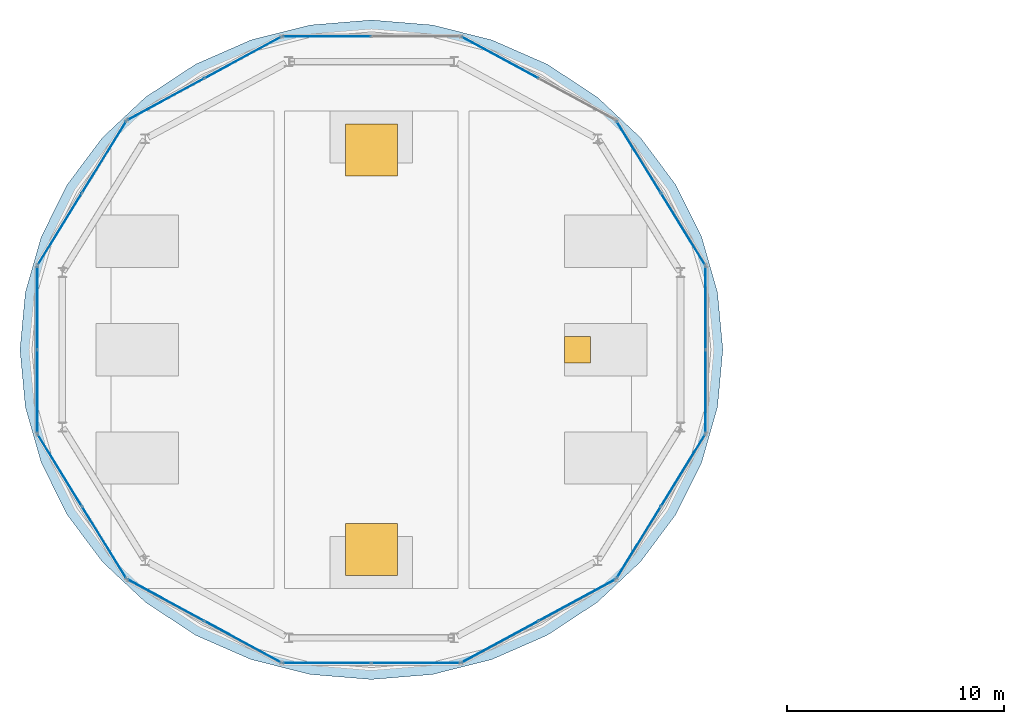
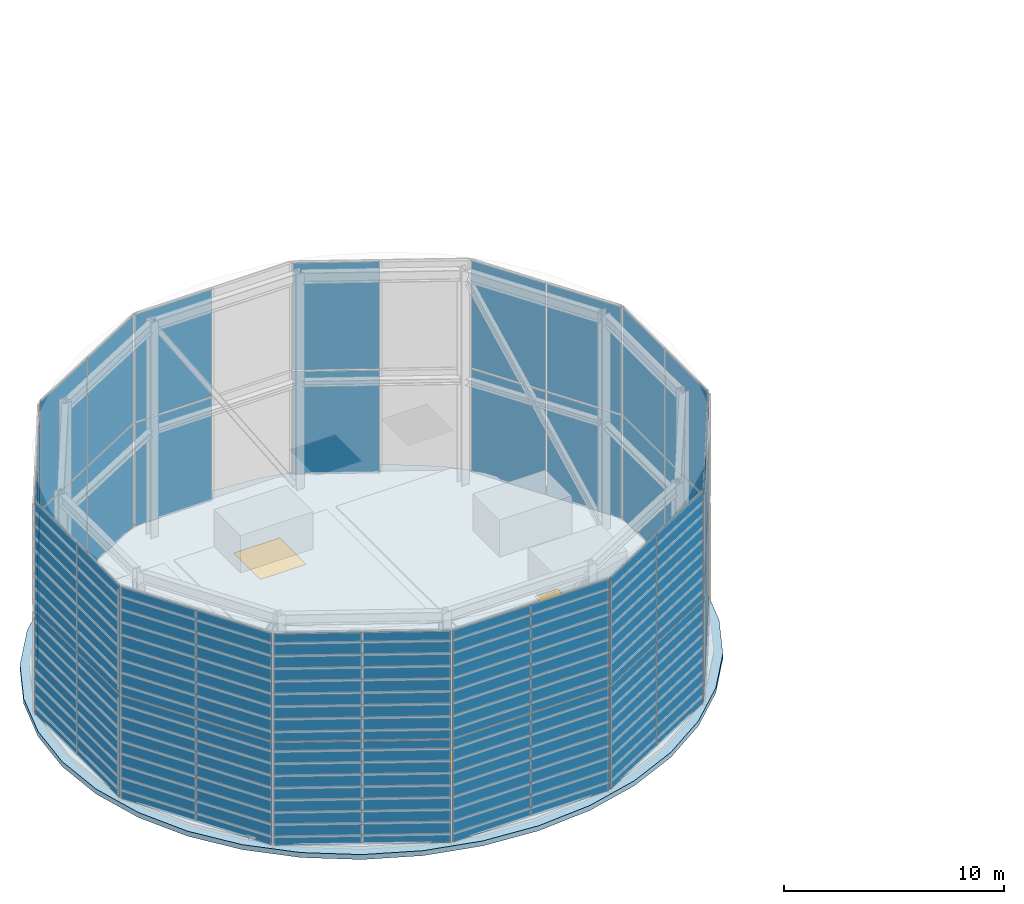
# One storey, part 10 of 17: 44 plates, 3 windows, 1 slab, 3 openings, 12 elements without a shape of their own.
"""IFC4 building model written with IfcOpenShell, lengths in metres."""

from ifc_helpers import new_model, si_unit, direction, frame, origin, origin_2d, place, context, subcontext, project, spatial, polyline, rectangle, outline, extrude, source, transform, mapped, material, layer, layer_set, type_object, type_shapes, element, fill, aggregate, save


model = new_model("IFC4")

# Units and contexts
model_context = context("Model", 3, precision=1e-05, world=origin(), true_north=direction((0.0, 1.0)))
body_context = subcontext(model_context, "Body", "Model", "MODEL_VIEW")
ifc_project = project(units=[si_unit("LENGTHUNIT", "METRE"), si_unit("AREAUNIT", "SQUARE_METRE"), si_unit("VOLUMEUNIT", "CUBIC_METRE"), si_unit("PLANEANGLEUNIT", "RADIAN"), si_unit("MASSUNIT", "GRAM", prefix="KILO")], contexts=[model_context])

# Site, building, storey
site_placement = place(None, origin())
site = spatial("IfcSite", under=ifc_project, at=site_placement, CompositionType="ELEMENT")
building_placement = place(site_placement, origin())
building = spatial("IfcBuilding", under=site, at=building_placement, Name="Norrkilde Senior Care Towers", CompositionType="ELEMENT")
storey_placement = place(building_placement, frame((0.0, 0.0, 249.85009765625)))
storey = spatial("IfcBuildingStorey", under=building, at=storey_placement, Name="RF", CompositionType="ELEMENT", Elevation=249.85009765625)

# Slab, openings, windows
ifc_material_1 = material(Name="Concrete C50/60", Category="concrete")
ifc_layer_1 = layer(ifc_material_1, 0.27490234375)
ifc_layer_set_1 = layer_set([ifc_layer_1], Name="Concrete C50/60")
slab_type = type_object("IfcSlabType", Name="Pavilion Main Roof Slab 275", PredefinedType="ROOF", material=ifc_layer_set_1)
slab_placement = place(storey_placement, frame((0.0, 0.0, -0.275146484375)))
slab = element("IfcSlab", 1, at=slab_placement, inside=storey, type_object=slab_type, Name="RF Drum W Main Roof Slab", PredefinedType="ROOF", context=body_context, shape_type="SweptSolid", body=[
    extrude(outline(polyline([(-11.800048828125, 0.0), (-12.046142578125, 2.639404296875), (-12.777099609375, 5.19873046875), (-13.970458984375, 7.60009765625), (-15.590087890625, 9.770263671875), (-17.5869140625, 11.643798828125), (-19.89990234375, 13.16357421875), (-22.459228515625, 14.283447265625), (-25.18701171875, 14.968994140625), (-28.0, 15.199951171875), (-30.81298828125, 14.968994140625), (-33.540771484375, 14.283447265625), (-36.10009765625, 13.16357421875), (-38.4130859375, 11.643798828125), (-40.409912109375, 9.770263671875), (-42.029541015625, 7.60009765625), (-43.222900390625, 5.19873046875), (-43.953857421875, 2.639404296875), (-44.199951171875, 0.0), (-43.953857421875, -2.639404296875), (-43.222900390625, -5.19873046875), (-42.029541015625, -7.60009765625), (-40.409912109375, -9.770263671875), (-38.4130859375, -11.643798828125), (-36.10009765625, -13.16357421875), (-33.540771484375, -14.283447265625), (-30.81298828125, -14.968994140625), (-28.0, -15.199951171875), (-25.18701171875, -14.968994140625), (-22.459228515625, -14.283447265625), (-19.89990234375, -13.16357421875), (-17.5869140625, -11.643798828125), (-15.590087890625, -9.770263671875), (-13.970458984375, -7.60009765625), (-12.777099609375, -5.19873046875), (-12.046142578125, -2.639404296875), (-11.800048828125, 0.0)])), origin(), (0.0, 0.0, 1.0), 0.275146484375),
])
opening_1_placement = place(slab_placement, frame((-28.0, -9.199951171875, -0.010009765625)))
opening_1 = element("IfcOpeningElement", 2, at=opening_1_placement, cuts=slab, Name="Opening SK-02", PredefinedType="OPENING", context=body_context, shape_type="SweptSolid", body=[
    extrude(rectangle(XDim=2.39990234375, YDim=2.39990234375, at=origin_2d()), origin(), (0.0, 0.0, 1.0), 0.295166015625),
])
opening_2_placement = place(slab_placement, frame((-28.0, 9.199951171875, -0.010009765625)))
opening_2 = element("IfcOpeningElement", 3, at=opening_2_placement, cuts=slab, Name="Opening SK-02", PredefinedType="OPENING", context=body_context, shape_type="SweptSolid", body=[
    extrude(rectangle(XDim=2.39990234375, YDim=2.39990234375, at=origin_2d()), origin(), (0.0, 0.0, 1.0), 0.295166015625),
])
opening_3_placement = place(slab_placement, frame((-18.5, 0.0, -0.010009765625)))
opening_3 = element("IfcOpeningElement", 4, at=opening_3_placement, cuts=slab, Name="Opening SK-03", PredefinedType="OPENING", context=body_context, shape_type="SweptSolid", body=[
    extrude(rectangle(XDim=1.199951171875, YDim=1.199951171875, at=origin_2d()), origin(), (0.0, 0.0, 1.0), 0.295166015625),
])
ifc_material_2 = material(Name="Triple Low-E Insulated Glazing", Category="glass")
window_type_1 = type_object("IfcWindowType", Name="Crown Acoustic Daylighting Skylight 2400x2400", PartitioningType="SINGLE_PANEL", PredefinedType="SKYLIGHT", material=ifc_material_2)
window_1_placement = place(slab_placement, frame((-28.0, -9.199951171875, 0.22509765625)))
window_1 = element("IfcWindow", 5, at=window_1_placement, inside=storey, type_object=window_type_1, Name="RF Roof Daylighting Skylight 03", OverallHeight=2.39990234375, OverallWidth=2.39990234375, PartitioningType="SINGLE_PANEL", PredefinedType="SKYLIGHT", context=body_context, shape_type="SweptSolid", body=[
    extrude(rectangle(XDim=2.39990234375, YDim=2.39990234375, at=origin_2d()), origin(), (0.0, 0.0, 1.0), 0.050048828125),
])
fill(opening_1, window_1)
window_2_placement = place(slab_placement, frame((-28.0, 9.199951171875, 0.22509765625)))
window_2 = element("IfcWindow", 6, at=window_2_placement, inside=storey, type_object=window_type_1, Name="RF Roof Daylighting Skylight 05", OverallHeight=2.39990234375, OverallWidth=2.39990234375, PartitioningType="SINGLE_PANEL", PredefinedType="SKYLIGHT", context=body_context, shape_type="SweptSolid", body=[
    extrude(rectangle(XDim=2.39990234375, YDim=2.39990234375, at=origin_2d()), origin(), (0.0, 0.0, 1.0), 0.050048828125),
])
fill(opening_2, window_2)
window_type_2 = type_object("IfcWindowType", Name="Roof Access Glazed Hatch 1200x1200", PartitioningType="SINGLE_PANEL", PredefinedType="SKYLIGHT", material=ifc_material_2)
window_3_placement = place(slab_placement, frame((-18.5, 0.0, 0.22509765625)))
window_3 = element("IfcWindow", 7, at=window_3_placement, inside=storey, type_object=window_type_2, Name="RF Roof Daylighting Skylight 06", OverallHeight=1.199951171875, OverallWidth=1.199951171875, PartitioningType="SINGLE_PANEL", PredefinedType="SKYLIGHT", context=body_context, shape_type="SweptSolid", body=[
    extrude(rectangle(XDim=1.199951171875, YDim=1.199951171875, at=origin_2d()), origin(), (0.0, 0.0, 1.0), 0.050048828125),
])
fill(opening_3, window_3)

# Curtain wall, plates
ifc_layer_2 = layer(ifc_material_2, 0.205078125)
ifc_layer_set_2 = layer_set([ifc_layer_2], Name="Triple Low-E Insulated Glazing")
curtain_wall_type = type_object("IfcCurtainWallType", Name="CW7 L76 Damper Lantern Clear Curtain Wall", PredefinedType="NOTDEFINED", material=ifc_layer_set_2)
curtain_wall_1_placement = place(storey_placement, origin())
curtain_wall_1 = element("IfcCurtainWall", 8, at=curtain_wall_1_placement, inside=storey, type_object=curtain_wall_type, Name="RF Ring Crown W Screen Wall 00", PredefinedType="NOTDEFINED")
ifc_material_3 = material(Name="Architectural Terracotta", Category="masonry")
ifc_layer_3 = layer(ifc_material_3, 0.031982421875)
ifc_layer_set_3 = layer_set([ifc_layer_3], Name="Architectural Terracotta")
plate_type = type_object("IfcPlateType", Name="Crown Louvred Terracotta Screen Panel 32", PredefinedType="CURTAIN_PANEL", material=ifc_layer_set_3)
shared_shape_1 = source(origin(), body_context, "Body", "SweptSolid", [
    extrude(rectangle(XDim=3.845703125, YDim=0.031982421875, at=origin_2d()), origin(), (0.0, 0.0, 1.0), 5.702392578125),
])
plate_1_placement = place(storey_placement, frame((-15.681640625, 8.883056640625, 0.06494140625), z_axis=(0.0, 0.0, 1.0), x_axis=(0.524458342684, -0.85143610846, 0.0)))
plate_1 = element("IfcPlate", 9, at=plate_1_placement, type_object=plate_type, Name="CW-7 panel 1.1", PredefinedType="CURTAIN_PANEL", context=body_context, shape_type="MappedRepresentation", body=[
    mapped(shared_shape_1, transform((0.0, 0.0, 0.0), x_axis=(1.0, 0.0, 0.0), y_axis=(0.0, 1.0, 0.0), z_axis=(0.0, 0.0, 1.0), scale=1.0)),
])
plate_2_placement = place(storey_placement, frame((-13.63330078125, 5.5576171875, 0.06494140625), z_axis=(0.0, 0.0, 1.0), x_axis=(0.524458342684, -0.85143610846, 0.0)))
plate_2 = element("IfcPlate", 10, at=plate_2_placement, type_object=plate_type, Name="CW-7 panel 2.1", PredefinedType="CURTAIN_PANEL", context=body_context, shape_type="MappedRepresentation", body=[
    mapped(shared_shape_1, transform((0.0, 0.0, 0.0), x_axis=(1.0, 0.0, 0.0), y_axis=(0.0, 1.0, 0.0), z_axis=(0.0, 0.0, 1.0), scale=1.0)),
])

curtain_wall_2_placement = place(storey_placement, origin())
curtain_wall_2 = element("IfcCurtainWall", 11, at=curtain_wall_2_placement, inside=storey, type_object=curtain_wall_type, Name="RF Ring Crown W Screen Wall 04", PredefinedType="NOTDEFINED")
plate_3_placement = place(storey_placement, frame((-42.36669921875, 5.5576171875, 0.06494140625), z_axis=(0.0, 0.0, 1.0), x_axis=(0.524458342684, 0.85143610846, 0.0)))
plate_3 = element("IfcPlate", 12, at=plate_3_placement, type_object=plate_type, Name="CW-7 panel 1.1", PredefinedType="CURTAIN_PANEL", context=body_context, shape_type="MappedRepresentation", body=[
    mapped(shared_shape_1, transform((0.0, 0.0, 0.0), x_axis=(1.0, 0.0, 0.0), y_axis=(0.0, 1.0, 0.0), z_axis=(0.0, 0.0, 1.0), scale=1.0)),
])
plate_4_placement = place(storey_placement, frame((-40.318359375, 8.883056640625, 0.06494140625), z_axis=(0.0, 0.0, 1.0), x_axis=(0.524458342684, 0.85143610846, 0.0)))
plate_4 = element("IfcPlate", 13, at=plate_4_placement, type_object=plate_type, Name="CW-7 panel 2.1", PredefinedType="CURTAIN_PANEL", context=body_context, shape_type="MappedRepresentation", body=[
    mapped(shared_shape_1, transform((0.0, 0.0, 0.0), x_axis=(1.0, 0.0, 0.0), y_axis=(0.0, 1.0, 0.0), z_axis=(0.0, 0.0, 1.0), scale=1.0)),
])

curtain_wall_3_placement = place(storey_placement, origin())
curtain_wall_3 = element("IfcCurtainWall", 14, at=curtain_wall_3_placement, inside=storey, type_object=curtain_wall_type, Name="RF Ring Crown W Screen Wall 06", PredefinedType="NOTDEFINED")
plate_5_placement = place(storey_placement, frame((-40.318359375, -8.883056640625, 0.06494140625), z_axis=(0.0, 0.0, 1.0), x_axis=(-0.524458342684, 0.85143610846, 0.0)))
plate_5 = element("IfcPlate", 15, at=plate_5_placement, type_object=plate_type, Name="CW-7 panel 1.1", PredefinedType="CURTAIN_PANEL", context=body_context, shape_type="MappedRepresentation", body=[
    mapped(shared_shape_1, transform((0.0, 0.0, 0.0), x_axis=(1.0, 0.0, 0.0), y_axis=(0.0, 1.0, 0.0), z_axis=(0.0, 0.0, 1.0), scale=1.0)),
])
plate_6_placement = place(storey_placement, frame((-42.36669921875, -5.5576171875, 0.06494140625), z_axis=(0.0, 0.0, 1.0), x_axis=(-0.524458342684, 0.85143610846, 0.0)))
plate_6 = element("IfcPlate", 16, at=plate_6_placement, type_object=plate_type, Name="CW-7 panel 2.1", PredefinedType="CURTAIN_PANEL", context=body_context, shape_type="MappedRepresentation", body=[
    mapped(shared_shape_1, transform((0.0, 0.0, 0.0), x_axis=(1.0, 0.0, 0.0), y_axis=(0.0, 1.0, 0.0), z_axis=(0.0, 0.0, 1.0), scale=1.0)),
])

curtain_wall_4_placement = place(storey_placement, origin())
curtain_wall_4 = element("IfcCurtainWall", 17, at=curtain_wall_4_placement, inside=storey, type_object=curtain_wall_type, Name="RF Ring Crown W Screen Wall 10", PredefinedType="NOTDEFINED")
plate_7_placement = place(storey_placement, frame((-13.63330078125, -5.5576171875, 0.06494140625), z_axis=(0.0, 0.0, 1.0), x_axis=(-0.524458342684, -0.85143610846, 0.0)))
plate_7 = element("IfcPlate", 18, at=plate_7_placement, type_object=plate_type, Name="CW-7 panel 1.1", PredefinedType="CURTAIN_PANEL", context=body_context, shape_type="MappedRepresentation", body=[
    mapped(shared_shape_1, transform((0.0, 0.0, 0.0), x_axis=(1.0, 0.0, 0.0), y_axis=(0.0, 1.0, 0.0), z_axis=(0.0, 0.0, 1.0), scale=1.0)),
])
plate_8_placement = place(storey_placement, frame((-15.681640625, -8.883056640625, 0.06494140625), z_axis=(0.0, 0.0, 1.0), x_axis=(-0.524458342684, -0.85143610846, 0.0)))
plate_8 = element("IfcPlate", 19, at=plate_8_placement, type_object=plate_type, Name="CW-7 panel 2.1", PredefinedType="CURTAIN_PANEL", context=body_context, shape_type="MappedRepresentation", body=[
    mapped(shared_shape_1, transform((0.0, 0.0, 0.0), x_axis=(1.0, 0.0, 0.0), y_axis=(0.0, 1.0, 0.0), z_axis=(0.0, 0.0, 1.0), scale=1.0)),
])

# Plate
shared_shape_2 = source(origin(), body_context, "Body", "SweptSolid", [
    extrude(rectangle(XDim=3.845703125, YDim=0.031982421875, at=origin_2d()), origin(), (0.0, 0.0, 1.0), 5.952392578125),
])
plate_9_placement = place(storey_placement, frame((-15.681640625, 8.883056640625, 5.83251953125), z_axis=(0.0, 0.0, 1.0), x_axis=(0.524458342684, -0.85143610846, 0.0)))
plate_9 = element("IfcPlate", 20, at=plate_9_placement, type_object=plate_type, Name="CW-7 panel 1.2", PredefinedType="CURTAIN_PANEL", context=body_context, shape_type="MappedRepresentation", body=[
    mapped(shared_shape_2, transform((0.0, 0.0, 0.0), x_axis=(1.0, 0.0, 0.0), y_axis=(0.0, 1.0, 0.0), z_axis=(0.0, 0.0, 1.0), scale=1.0)),
])

plate_10_placement = place(storey_placement, frame((-13.63330078125, 5.5576171875, 5.83251953125), z_axis=(0.0, 0.0, 1.0), x_axis=(0.524458342684, -0.85143610846, 0.0)))
plate_10 = element("IfcPlate", 21, at=plate_10_placement, type_object=plate_type, Name="CW-7 panel 2.2", PredefinedType="CURTAIN_PANEL", context=body_context, shape_type="MappedRepresentation", body=[
    mapped(shared_shape_2, transform((0.0, 0.0, 0.0), x_axis=(1.0, 0.0, 0.0), y_axis=(0.0, 1.0, 0.0), z_axis=(0.0, 0.0, 1.0), scale=1.0)),
])

aggregate(curtain_wall_1, [plate_1, plate_9, plate_2, plate_10])

plate_11_placement = place(storey_placement, frame((-42.36669921875, 5.5576171875, 5.83251953125), z_axis=(0.0, 0.0, 1.0), x_axis=(0.524458342684, 0.85143610846, 0.0)))
plate_11 = element("IfcPlate", 22, at=plate_11_placement, type_object=plate_type, Name="CW-7 panel 1.2", PredefinedType="CURTAIN_PANEL", context=body_context, shape_type="MappedRepresentation", body=[
    mapped(shared_shape_2, transform((0.0, 0.0, 0.0), x_axis=(1.0, 0.0, 0.0), y_axis=(0.0, 1.0, 0.0), z_axis=(0.0, 0.0, 1.0), scale=1.0)),
])

plate_12_placement = place(storey_placement, frame((-40.318359375, 8.883056640625, 5.83251953125), z_axis=(0.0, 0.0, 1.0), x_axis=(0.524458342684, 0.85143610846, 0.0)))
plate_12 = element("IfcPlate", 23, at=plate_12_placement, type_object=plate_type, Name="CW-7 panel 2.2", PredefinedType="CURTAIN_PANEL", context=body_context, shape_type="MappedRepresentation", body=[
    mapped(shared_shape_2, transform((0.0, 0.0, 0.0), x_axis=(1.0, 0.0, 0.0), y_axis=(0.0, 1.0, 0.0), z_axis=(0.0, 0.0, 1.0), scale=1.0)),
])

aggregate(curtain_wall_2, [plate_3, plate_11, plate_4, plate_12])

plate_13_placement = place(storey_placement, frame((-40.318359375, -8.883056640625, 5.83251953125), z_axis=(0.0, 0.0, 1.0), x_axis=(-0.524458342684, 0.85143610846, 0.0)))
plate_13 = element("IfcPlate", 24, at=plate_13_placement, type_object=plate_type, Name="CW-7 panel 1.2", PredefinedType="CURTAIN_PANEL", context=body_context, shape_type="MappedRepresentation", body=[
    mapped(shared_shape_2, transform((0.0, 0.0, 0.0), x_axis=(1.0, 0.0, 0.0), y_axis=(0.0, 1.0, 0.0), z_axis=(0.0, 0.0, 1.0), scale=1.0)),
])

plate_14_placement = place(storey_placement, frame((-42.36669921875, -5.5576171875, 5.83251953125), z_axis=(0.0, 0.0, 1.0), x_axis=(-0.524458342684, 0.85143610846, 0.0)))
plate_14 = element("IfcPlate", 25, at=plate_14_placement, type_object=plate_type, Name="CW-7 panel 2.2", PredefinedType="CURTAIN_PANEL", context=body_context, shape_type="MappedRepresentation", body=[
    mapped(shared_shape_2, transform((0.0, 0.0, 0.0), x_axis=(1.0, 0.0, 0.0), y_axis=(0.0, 1.0, 0.0), z_axis=(0.0, 0.0, 1.0), scale=1.0)),
])

aggregate(curtain_wall_3, [plate_5, plate_13, plate_6, plate_14])

plate_15_placement = place(storey_placement, frame((-13.63330078125, -5.5576171875, 5.83251953125), z_axis=(0.0, 0.0, 1.0), x_axis=(-0.524458342684, -0.85143610846, 0.0)))
plate_15 = element("IfcPlate", 26, at=plate_15_placement, type_object=plate_type, Name="CW-7 panel 1.2", PredefinedType="CURTAIN_PANEL", context=body_context, shape_type="MappedRepresentation", body=[
    mapped(shared_shape_2, transform((0.0, 0.0, 0.0), x_axis=(1.0, 0.0, 0.0), y_axis=(0.0, 1.0, 0.0), z_axis=(0.0, 0.0, 1.0), scale=1.0)),
])

plate_16_placement = place(storey_placement, frame((-15.681640625, -8.883056640625, 5.83251953125), z_axis=(0.0, 0.0, 1.0), x_axis=(-0.524458342684, -0.85143610846, 0.0)))
plate_16 = element("IfcPlate", 27, at=plate_16_placement, type_object=plate_type, Name="CW-7 panel 2.2", PredefinedType="CURTAIN_PANEL", context=body_context, shape_type="MappedRepresentation", body=[
    mapped(shared_shape_2, transform((0.0, 0.0, 0.0), x_axis=(1.0, 0.0, 0.0), y_axis=(0.0, 1.0, 0.0), z_axis=(0.0, 0.0, 1.0), scale=1.0)),
])

aggregate(curtain_wall_4, [plate_7, plate_15, plate_8, plate_16])

# Curtain wall, plate
curtain_wall_5_placement = place(storey_placement, origin())
curtain_wall_5 = element("IfcCurtainWall", 28, at=curtain_wall_5_placement, inside=storey, type_object=curtain_wall_type, Name="RF Ring Crown W Screen Wall 01", PredefinedType="NOTDEFINED")
shared_shape_3 = source(origin(), body_context, "Body", "SweptSolid", [
    extrude(rectangle(XDim=3.97509765625, YDim=0.031982421875, at=origin_2d()), origin(), (0.0, 0.0, 1.0), 5.702392578125),
])
plate_17_placement = place(storey_placement, frame((-22.071044921875, 13.466064453125, 0.06494140625), z_axis=(0.0, 0.0, 1.0), x_axis=(0.879481153886, -0.475933713829, 0.0)))
plate_17 = element("IfcPlate", 29, at=plate_17_placement, type_object=plate_type, Name="CW-7 panel 1.1", PredefinedType="CURTAIN_PANEL", context=body_context, shape_type="MappedRepresentation", body=[
    mapped(shared_shape_3, transform((0.0, 0.0, 0.0), x_axis=(1.0, 0.0, 0.0), y_axis=(0.0, 1.0, 0.0), z_axis=(0.0, 0.0, 1.0), scale=1.0)),
])

# Curtain wall, plates
curtain_wall_6_placement = place(storey_placement, origin())
curtain_wall_6 = element("IfcCurtainWall", 30, at=curtain_wall_6_placement, inside=storey, type_object=curtain_wall_type, Name="RF Ring Crown W Screen Wall 03", PredefinedType="NOTDEFINED")
plate_18_placement = place(storey_placement, frame((-37.4775390625, 11.545654296875, 0.06494140625), z_axis=(0.0, 0.0, 1.0), x_axis=(0.879481153886, 0.475933713829, 0.0)))
plate_18 = element("IfcPlate", 31, at=plate_18_placement, type_object=plate_type, Name="CW-7 panel 1.1", PredefinedType="CURTAIN_PANEL", context=body_context, shape_type="MappedRepresentation", body=[
    mapped(shared_shape_3, transform((0.0, 0.0, 0.0), x_axis=(1.0, 0.0, 0.0), y_axis=(0.0, 1.0, 0.0), z_axis=(0.0, 0.0, 1.0), scale=1.0)),
])
plate_19_placement = place(storey_placement, frame((-33.928955078125, 13.466064453125, 0.06494140625), z_axis=(0.0, 0.0, 1.0), x_axis=(0.879481153886, 0.475933713829, 0.0)))
plate_19 = element("IfcPlate", 32, at=plate_19_placement, type_object=plate_type, Name="CW-7 panel 2.1", PredefinedType="CURTAIN_PANEL", context=body_context, shape_type="MappedRepresentation", body=[
    mapped(shared_shape_3, transform((0.0, 0.0, 0.0), x_axis=(1.0, 0.0, 0.0), y_axis=(0.0, 1.0, 0.0), z_axis=(0.0, 0.0, 1.0), scale=1.0)),
])

curtain_wall_7_placement = place(storey_placement, origin())
curtain_wall_7 = element("IfcCurtainWall", 33, at=curtain_wall_7_placement, inside=storey, type_object=curtain_wall_type, Name="RF Ring Crown W Screen Wall 07", PredefinedType="NOTDEFINED")
plate_20_placement = place(storey_placement, frame((-33.928955078125, -13.466064453125, 0.06494140625), z_axis=(0.0, 0.0, 1.0), x_axis=(-0.879481153886, 0.475933713829, 0.0)))
plate_20 = element("IfcPlate", 34, at=plate_20_placement, type_object=plate_type, Name="CW-7 panel 1.1", PredefinedType="CURTAIN_PANEL", context=body_context, shape_type="MappedRepresentation", body=[
    mapped(shared_shape_3, transform((0.0, 0.0, 0.0), x_axis=(1.0, 0.0, 0.0), y_axis=(0.0, 1.0, 0.0), z_axis=(0.0, 0.0, 1.0), scale=1.0)),
])
plate_21_placement = place(storey_placement, frame((-37.4775390625, -11.545654296875, 0.06494140625), z_axis=(0.0, 0.0, 1.0), x_axis=(-0.879481153886, 0.475933713829, 0.0)))
plate_21 = element("IfcPlate", 35, at=plate_21_placement, type_object=plate_type, Name="CW-7 panel 2.1", PredefinedType="CURTAIN_PANEL", context=body_context, shape_type="MappedRepresentation", body=[
    mapped(shared_shape_3, transform((0.0, 0.0, 0.0), x_axis=(1.0, 0.0, 0.0), y_axis=(0.0, 1.0, 0.0), z_axis=(0.0, 0.0, 1.0), scale=1.0)),
])

curtain_wall_8_placement = place(storey_placement, origin())
curtain_wall_8 = element("IfcCurtainWall", 36, at=curtain_wall_8_placement, inside=storey, type_object=curtain_wall_type, Name="RF Ring Crown W Screen Wall 09", PredefinedType="NOTDEFINED")
plate_22_placement = place(storey_placement, frame((-18.5224609375, -11.545654296875, 0.06494140625), z_axis=(0.0, 0.0, 1.0), x_axis=(-0.879481153886, -0.475933713829, 0.0)))
plate_22 = element("IfcPlate", 37, at=plate_22_placement, type_object=plate_type, Name="CW-7 panel 1.1", PredefinedType="CURTAIN_PANEL", context=body_context, shape_type="MappedRepresentation", body=[
    mapped(shared_shape_3, transform((0.0, 0.0, 0.0), x_axis=(1.0, 0.0, 0.0), y_axis=(0.0, 1.0, 0.0), z_axis=(0.0, 0.0, 1.0), scale=1.0)),
])
plate_23_placement = place(storey_placement, frame((-22.071044921875, -13.466064453125, 0.06494140625), z_axis=(0.0, 0.0, 1.0), x_axis=(-0.879481153886, -0.475933713829, 0.0)))
plate_23 = element("IfcPlate", 38, at=plate_23_placement, type_object=plate_type, Name="CW-7 panel 2.1", PredefinedType="CURTAIN_PANEL", context=body_context, shape_type="MappedRepresentation", body=[
    mapped(shared_shape_3, transform((0.0, 0.0, 0.0), x_axis=(1.0, 0.0, 0.0), y_axis=(0.0, 1.0, 0.0), z_axis=(0.0, 0.0, 1.0), scale=1.0)),
])

# Plate
shared_shape_4 = source(origin(), body_context, "Body", "SweptSolid", [
    extrude(rectangle(XDim=3.97509765625, YDim=0.031982421875, at=origin_2d()), origin(), (0.0, 0.0, 1.0), 5.952392578125),
])
plate_24_placement = place(storey_placement, frame((-22.071044921875, 13.466064453125, 5.83251953125), z_axis=(0.0, 0.0, 1.0), x_axis=(0.879481153886, -0.475933713829, 0.0)))
plate_24 = element("IfcPlate", 39, at=plate_24_placement, type_object=plate_type, Name="CW-7 panel 1.2", PredefinedType="CURTAIN_PANEL", context=body_context, shape_type="MappedRepresentation", body=[
    mapped(shared_shape_4, transform((0.0, 0.0, 0.0), x_axis=(1.0, 0.0, 0.0), y_axis=(0.0, 1.0, 0.0), z_axis=(0.0, 0.0, 1.0), scale=1.0)),
])

aggregate(curtain_wall_5, [plate_17, plate_24])

plate_25_placement = place(storey_placement, frame((-37.4775390625, 11.545654296875, 5.83251953125), z_axis=(0.0, 0.0, 1.0), x_axis=(0.879481153886, 0.475933713829, 0.0)))
plate_25 = element("IfcPlate", 40, at=plate_25_placement, type_object=plate_type, Name="CW-7 panel 1.2", PredefinedType="CURTAIN_PANEL", context=body_context, shape_type="MappedRepresentation", body=[
    mapped(shared_shape_4, transform((0.0, 0.0, 0.0), x_axis=(1.0, 0.0, 0.0), y_axis=(0.0, 1.0, 0.0), z_axis=(0.0, 0.0, 1.0), scale=1.0)),
])

plate_26_placement = place(storey_placement, frame((-33.928955078125, 13.466064453125, 5.83251953125), z_axis=(0.0, 0.0, 1.0), x_axis=(0.879481153886, 0.475933713829, 0.0)))
plate_26 = element("IfcPlate", 41, at=plate_26_placement, type_object=plate_type, Name="CW-7 panel 2.2", PredefinedType="CURTAIN_PANEL", context=body_context, shape_type="MappedRepresentation", body=[
    mapped(shared_shape_4, transform((0.0, 0.0, 0.0), x_axis=(1.0, 0.0, 0.0), y_axis=(0.0, 1.0, 0.0), z_axis=(0.0, 0.0, 1.0), scale=1.0)),
])

aggregate(curtain_wall_6, [plate_18, plate_25, plate_19, plate_26])

plate_27_placement = place(storey_placement, frame((-33.928955078125, -13.466064453125, 5.83251953125), z_axis=(0.0, 0.0, 1.0), x_axis=(-0.879481153886, 0.475933713829, 0.0)))
plate_27 = element("IfcPlate", 42, at=plate_27_placement, type_object=plate_type, Name="CW-7 panel 1.2", PredefinedType="CURTAIN_PANEL", context=body_context, shape_type="MappedRepresentation", body=[
    mapped(shared_shape_4, transform((0.0, 0.0, 0.0), x_axis=(1.0, 0.0, 0.0), y_axis=(0.0, 1.0, 0.0), z_axis=(0.0, 0.0, 1.0), scale=1.0)),
])

plate_28_placement = place(storey_placement, frame((-37.4775390625, -11.545654296875, 5.83251953125), z_axis=(0.0, 0.0, 1.0), x_axis=(-0.879481153886, 0.475933713829, 0.0)))
plate_28 = element("IfcPlate", 43, at=plate_28_placement, type_object=plate_type, Name="CW-7 panel 2.2", PredefinedType="CURTAIN_PANEL", context=body_context, shape_type="MappedRepresentation", body=[
    mapped(shared_shape_4, transform((0.0, 0.0, 0.0), x_axis=(1.0, 0.0, 0.0), y_axis=(0.0, 1.0, 0.0), z_axis=(0.0, 0.0, 1.0), scale=1.0)),
])

aggregate(curtain_wall_7, [plate_20, plate_27, plate_21, plate_28])

plate_29_placement = place(storey_placement, frame((-18.5224609375, -11.545654296875, 5.83251953125), z_axis=(0.0, 0.0, 1.0), x_axis=(-0.879481153886, -0.475933713829, 0.0)))
plate_29 = element("IfcPlate", 44, at=plate_29_placement, type_object=plate_type, Name="CW-7 panel 1.2", PredefinedType="CURTAIN_PANEL", context=body_context, shape_type="MappedRepresentation", body=[
    mapped(shared_shape_4, transform((0.0, 0.0, 0.0), x_axis=(1.0, 0.0, 0.0), y_axis=(0.0, 1.0, 0.0), z_axis=(0.0, 0.0, 1.0), scale=1.0)),
])

plate_30_placement = place(storey_placement, frame((-22.071044921875, -13.466064453125, 5.83251953125), z_axis=(0.0, 0.0, 1.0), x_axis=(-0.879481153886, -0.475933713829, 0.0)))
plate_30 = element("IfcPlate", 45, at=plate_30_placement, type_object=plate_type, Name="CW-7 panel 2.2", PredefinedType="CURTAIN_PANEL", context=body_context, shape_type="MappedRepresentation", body=[
    mapped(shared_shape_4, transform((0.0, 0.0, 0.0), x_axis=(1.0, 0.0, 0.0), y_axis=(0.0, 1.0, 0.0), z_axis=(0.0, 0.0, 1.0), scale=1.0)),
])

aggregate(curtain_wall_8, [plate_22, plate_29, plate_23, plate_30])

# Curtain wall, plate
curtain_wall_9_placement = place(storey_placement, origin())
curtain_wall_9 = element("IfcCurtainWall", 46, at=curtain_wall_9_placement, inside=storey, type_object=curtain_wall_type, Name="RF Ring Crown W Screen Wall 02", PredefinedType="NOTDEFINED")
shared_shape_5 = source(origin(), body_context, "Body", "SweptSolid", [
    extrude(rectangle(XDim=4.0380859375, YDim=0.031982421875, at=origin_2d()), origin(), (0.0, 0.0, 1.0), 5.702392578125),
])
plate_31_placement = place(storey_placement, frame((-30.049072265625, 14.440673828125, 0.06494140625), z_axis=(0.0, 0.0, 1.0), x_axis=(1.0, 0.0, 0.0)))
plate_31 = element("IfcPlate", 47, at=plate_31_placement, type_object=plate_type, Name="CW-7 panel 1.1", PredefinedType="CURTAIN_PANEL", context=body_context, shape_type="MappedRepresentation", body=[
    mapped(shared_shape_5, transform((0.0, 0.0, 0.0), x_axis=(1.0, 0.0, 0.0), y_axis=(0.0, 1.0, 0.0), z_axis=(0.0, 0.0, 1.0), scale=1.0)),
])

# Curtain wall, plates
curtain_wall_10_placement = place(storey_placement, origin())
curtain_wall_10 = element("IfcCurtainWall", 48, at=curtain_wall_10_placement, inside=storey, type_object=curtain_wall_type, Name="RF Ring Crown W Screen Wall 08", PredefinedType="NOTDEFINED")
plate_32_placement = place(storey_placement, frame((-25.950927734375, -14.440673828125, 0.06494140625), z_axis=(0.0, 0.0, 1.0), x_axis=(-1.0, 0.0, 0.0)))
plate_32 = element("IfcPlate", 49, at=plate_32_placement, type_object=plate_type, Name="CW-7 panel 1.1", PredefinedType="CURTAIN_PANEL", context=body_context, shape_type="MappedRepresentation", body=[
    mapped(shared_shape_5, transform((0.0, 0.0, 0.0), x_axis=(1.0, 0.0, 0.0), y_axis=(0.0, 1.0, 0.0), z_axis=(0.0, 0.0, 1.0), scale=1.0)),
])
plate_33_placement = place(storey_placement, frame((-30.049072265625, -14.440673828125, 0.06494140625), z_axis=(0.0, 0.0, 1.0), x_axis=(-1.0, 0.0, 0.0)))
plate_33 = element("IfcPlate", 50, at=plate_33_placement, type_object=plate_type, Name="CW-7 panel 2.1", PredefinedType="CURTAIN_PANEL", context=body_context, shape_type="MappedRepresentation", body=[
    mapped(shared_shape_5, transform((0.0, 0.0, 0.0), x_axis=(1.0, 0.0, 0.0), y_axis=(0.0, 1.0, 0.0), z_axis=(0.0, 0.0, 1.0), scale=1.0)),
])

# Plate
shared_shape_6 = source(origin(), body_context, "Body", "SweptSolid", [
    extrude(rectangle(XDim=4.0380859375, YDim=0.031982421875, at=origin_2d()), origin(), (0.0, 0.0, 1.0), 5.952392578125),
])
plate_34_placement = place(storey_placement, frame((-30.049072265625, 14.440673828125, 5.83251953125), z_axis=(0.0, 0.0, 1.0), x_axis=(1.0, 0.0, 0.0)))
plate_34 = element("IfcPlate", 51, at=plate_34_placement, type_object=plate_type, Name="CW-7 panel 1.2", PredefinedType="CURTAIN_PANEL", context=body_context, shape_type="MappedRepresentation", body=[
    mapped(shared_shape_6, transform((0.0, 0.0, 0.0), x_axis=(1.0, 0.0, 0.0), y_axis=(0.0, 1.0, 0.0), z_axis=(0.0, 0.0, 1.0), scale=1.0)),
])

aggregate(curtain_wall_9, [plate_31, plate_34])

plate_35_placement = place(storey_placement, frame((-25.950927734375, -14.440673828125, 5.83251953125), z_axis=(0.0, 0.0, 1.0), x_axis=(-1.0, 0.0, 0.0)))
plate_35 = element("IfcPlate", 52, at=plate_35_placement, type_object=plate_type, Name="CW-7 panel 1.2", PredefinedType="CURTAIN_PANEL", context=body_context, shape_type="MappedRepresentation", body=[
    mapped(shared_shape_6, transform((0.0, 0.0, 0.0), x_axis=(1.0, 0.0, 0.0), y_axis=(0.0, 1.0, 0.0), z_axis=(0.0, 0.0, 1.0), scale=1.0)),
])

plate_36_placement = place(storey_placement, frame((-30.049072265625, -14.440673828125, 5.83251953125), z_axis=(0.0, 0.0, 1.0), x_axis=(-1.0, 0.0, 0.0)))
plate_36 = element("IfcPlate", 53, at=plate_36_placement, type_object=plate_type, Name="CW-7 panel 2.2", PredefinedType="CURTAIN_PANEL", context=body_context, shape_type="MappedRepresentation", body=[
    mapped(shared_shape_6, transform((0.0, 0.0, 0.0), x_axis=(1.0, 0.0, 0.0), y_axis=(0.0, 1.0, 0.0), z_axis=(0.0, 0.0, 1.0), scale=1.0)),
])

aggregate(curtain_wall_10, [plate_32, plate_35, plate_33, plate_36])

# Curtain wall, plates
curtain_wall_11_placement = place(storey_placement, origin())
curtain_wall_11 = element("IfcCurtainWall", 54, at=curtain_wall_11_placement, inside=storey, type_object=curtain_wall_type, Name="RF Ring Crown W Screen Wall 05", PredefinedType="NOTDEFINED")
shared_shape_7 = source(origin(), body_context, "Body", "SweptSolid", [
    extrude(rectangle(XDim=3.779296875, YDim=0.031982421875, at=origin_2d()), origin(), (0.0, 0.0, 1.0), 5.702392578125),
])
plate_37_placement = place(storey_placement, frame((-43.406494140625, -1.919677734375, 0.06494140625), z_axis=(0.0, 0.0, 1.0), x_axis=(0.0, 1.0, 0.0)))
plate_37 = element("IfcPlate", 55, at=plate_37_placement, type_object=plate_type, Name="CW-7 panel 1.1", PredefinedType="CURTAIN_PANEL", context=body_context, shape_type="MappedRepresentation", body=[
    mapped(shared_shape_7, transform((0.0, 0.0, 0.0), x_axis=(1.0, 0.0, 0.0), y_axis=(0.0, 1.0, 0.0), z_axis=(0.0, 0.0, 1.0), scale=1.0)),
])
plate_38_placement = place(storey_placement, frame((-43.406494140625, 1.919677734375, 0.06494140625), z_axis=(0.0, 0.0, 1.0), x_axis=(0.0, 1.0, 0.0)))
plate_38 = element("IfcPlate", 56, at=plate_38_placement, type_object=plate_type, Name="CW-7 panel 2.1", PredefinedType="CURTAIN_PANEL", context=body_context, shape_type="MappedRepresentation", body=[
    mapped(shared_shape_7, transform((0.0, 0.0, 0.0), x_axis=(1.0, 0.0, 0.0), y_axis=(0.0, 1.0, 0.0), z_axis=(0.0, 0.0, 1.0), scale=1.0)),
])

curtain_wall_12_placement = place(storey_placement, origin())
curtain_wall_12 = element("IfcCurtainWall", 57, at=curtain_wall_12_placement, inside=storey, type_object=curtain_wall_type, Name="RF Ring Crown W Screen Wall 11", PredefinedType="NOTDEFINED")
plate_39_placement = place(storey_placement, frame((-12.593505859375, 1.919677734375, 0.06494140625), z_axis=(0.0, 0.0, 1.0), x_axis=(0.0, -1.0, 0.0)))
plate_39 = element("IfcPlate", 58, at=plate_39_placement, type_object=plate_type, Name="CW-7 panel 1.1", PredefinedType="CURTAIN_PANEL", context=body_context, shape_type="MappedRepresentation", body=[
    mapped(shared_shape_7, transform((0.0, 0.0, 0.0), x_axis=(1.0, 0.0, 0.0), y_axis=(0.0, 1.0, 0.0), z_axis=(0.0, 0.0, 1.0), scale=1.0)),
])
plate_40_placement = place(storey_placement, frame((-12.593505859375, -1.919677734375, 0.06494140625), z_axis=(0.0, 0.0, 1.0), x_axis=(0.0, -1.0, 0.0)))
plate_40 = element("IfcPlate", 59, at=plate_40_placement, type_object=plate_type, Name="CW-7 panel 2.1", PredefinedType="CURTAIN_PANEL", context=body_context, shape_type="MappedRepresentation", body=[
    mapped(shared_shape_7, transform((0.0, 0.0, 0.0), x_axis=(1.0, 0.0, 0.0), y_axis=(0.0, 1.0, 0.0), z_axis=(0.0, 0.0, 1.0), scale=1.0)),
])

# Plate
shared_shape_8 = source(origin(), body_context, "Body", "SweptSolid", [
    extrude(rectangle(XDim=3.779296875, YDim=0.031982421875, at=origin_2d()), origin(), (0.0, 0.0, 1.0), 5.952392578125),
])
type_shapes(plate_type, [shared_shape_1, shared_shape_2, shared_shape_3, shared_shape_4, shared_shape_5, shared_shape_6, shared_shape_7, shared_shape_8])
plate_41_placement = place(storey_placement, frame((-43.406494140625, -1.919677734375, 5.83251953125), z_axis=(0.0, 0.0, 1.0), x_axis=(0.0, 1.0, 0.0)))
plate_41 = element("IfcPlate", 60, at=plate_41_placement, type_object=plate_type, Name="CW-7 panel 1.2", PredefinedType="CURTAIN_PANEL", context=body_context, shape_type="MappedRepresentation", body=[
    mapped(shared_shape_8, transform((0.0, 0.0, 0.0), x_axis=(1.0, 0.0, 0.0), y_axis=(0.0, 1.0, 0.0), z_axis=(0.0, 0.0, 1.0), scale=1.0)),
])

plate_42_placement = place(storey_placement, frame((-43.406494140625, 1.919677734375, 5.83251953125), z_axis=(0.0, 0.0, 1.0), x_axis=(0.0, 1.0, 0.0)))
plate_42 = element("IfcPlate", 61, at=plate_42_placement, type_object=plate_type, Name="CW-7 panel 2.2", PredefinedType="CURTAIN_PANEL", context=body_context, shape_type="MappedRepresentation", body=[
    mapped(shared_shape_8, transform((0.0, 0.0, 0.0), x_axis=(1.0, 0.0, 0.0), y_axis=(0.0, 1.0, 0.0), z_axis=(0.0, 0.0, 1.0), scale=1.0)),
])

aggregate(curtain_wall_11, [plate_37, plate_41, plate_38, plate_42])

plate_43_placement = place(storey_placement, frame((-12.593505859375, 1.919677734375, 5.83251953125), z_axis=(0.0, 0.0, 1.0), x_axis=(0.0, -1.0, 0.0)))
plate_43 = element("IfcPlate", 62, at=plate_43_placement, type_object=plate_type, Name="CW-7 panel 1.2", PredefinedType="CURTAIN_PANEL", context=body_context, shape_type="MappedRepresentation", body=[
    mapped(shared_shape_8, transform((0.0, 0.0, 0.0), x_axis=(1.0, 0.0, 0.0), y_axis=(0.0, 1.0, 0.0), z_axis=(0.0, 0.0, 1.0), scale=1.0)),
])

plate_44_placement = place(storey_placement, frame((-12.593505859375, -1.919677734375, 5.83251953125), z_axis=(0.0, 0.0, 1.0), x_axis=(0.0, -1.0, 0.0)))
plate_44 = element("IfcPlate", 63, at=plate_44_placement, type_object=plate_type, Name="CW-7 panel 2.2", PredefinedType="CURTAIN_PANEL", context=body_context, shape_type="MappedRepresentation", body=[
    mapped(shared_shape_8, transform((0.0, 0.0, 0.0), x_axis=(1.0, 0.0, 0.0), y_axis=(0.0, 1.0, 0.0), z_axis=(0.0, 0.0, 1.0), scale=1.0)),
])

aggregate(curtain_wall_12, [plate_39, plate_43, plate_40, plate_44])

save(model, "model.ifc")
